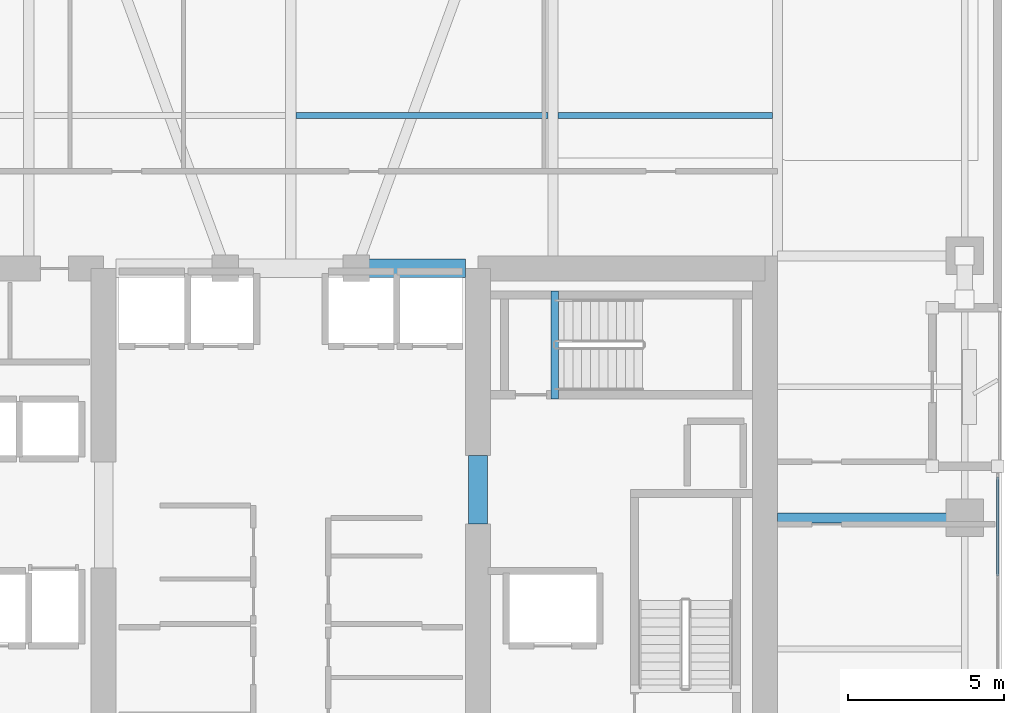
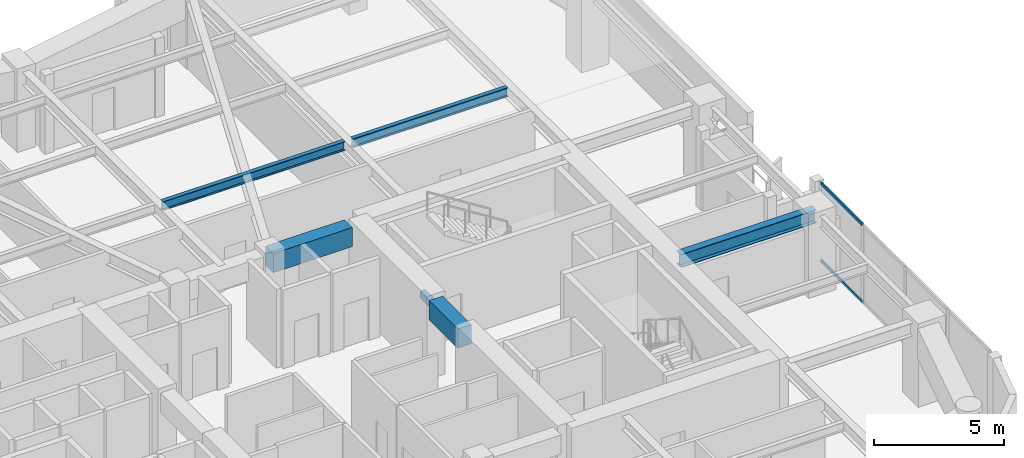
# One storey, part 10 of 30: 6 beams, 2 members, 1 element without a shape of its own.
"""IFC4 building model written with IfcOpenShell, lengths in metres."""

from ifc_helpers import new_model, si_unit, direction, frame, origin, origin_2d, place, context, subcontext, project, spatial, rectangle, hollow_rectangle, i_section, extrude, material, layer, layer_set, material_profile, profile_set, type_object, element, aggregate, save


model = new_model("IFC4")

# Units and contexts
model_context = context("Model", 3, precision=1e-05, world=origin(), true_north=direction((0.0, 1.0)))
body_context = subcontext(model_context, "Body", "Model", "MODEL_VIEW")
ifc_project = project(units=[si_unit("LENGTHUNIT", "METRE"), si_unit("AREAUNIT", "SQUARE_METRE"), si_unit("VOLUMEUNIT", "CUBIC_METRE"), si_unit("PLANEANGLEUNIT", "RADIAN"), si_unit("MASSUNIT", "GRAM", prefix="KILO")], contexts=[model_context])

# Site, building, storey
site_placement = place(None, origin())
site = spatial("IfcSite", under=ifc_project, at=site_placement, CompositionType="ELEMENT")
building_placement = place(site_placement, origin())
building = spatial("IfcBuilding", under=site, at=building_placement, Name="Kiyonajd Concourse Tower", CompositionType="ELEMENT")
storey_placement = place(building_placement, frame((0.0, 0.0, 166.199951171875)))
storey = spatial("IfcBuildingStorey", under=building, at=storey_placement, Name="L42", CompositionType="ELEMENT", Elevation=166.199951171875)

# Beams
ifc_material_1 = material(Name="Concrete C60/75", Category="concrete")
ifc_material_profile_1 = material_profile(ifc_material_1, rectangle(XDim=0.60009765625, YDim=0.89990234375, at=origin_2d()), Name="RCBM-600x900")
ifc_profile_set_1 = profile_set([ifc_material_profile_1], Name="Concrete C60/75")
beam_type_1 = type_object("IfcBeamType", Name="BM-COUP-900", PredefinedType="LINTEL", material=ifc_profile_set_1)
beam_1_placement = place(storey_placement, frame((50.10009765625, 44.0, 3.22998046875), z_axis=(1.0, 0.0, 0.0), x_axis=(0.0, 1.0, 0.0)))
element("IfcBeam", 1, at=beam_1_placement, inside=storey, type_object=beam_type_1, Name="L42 Core Coupling Beam N3", PredefinedType="LINTEL", context=body_context, shape_type="SweptSolid", body=[
    extrude(rectangle(XDim=0.60009765625, YDim=0.89990234375, at=origin_2d()), origin(), (0.0, 0.0, 1.0), 3.5),
])
beam_2_placement = place(storey_placement, frame((54.0, 35.800048828125, 3.22998046875), z_axis=(0.0, 1.0, 0.0), x_axis=(-1.0, 0.0, 0.0)))
element("IfcBeam", 2, at=beam_2_placement, inside=storey, type_object=beam_type_1, Name="L42 East Core Throat Coupling Lintel", PredefinedType="LINTEL", context=body_context, shape_type="SweptSolid", body=[
    extrude(rectangle(XDim=0.60009765625, YDim=0.89990234375, at=origin_2d()), origin(), (0.0, 0.0, 1.0), 2.199951171875),
])
ifc_material_2 = material(Name="Steel ASTM A992 Grade 50", Category="steel")
ifc_material_profile_2 = material_profile(ifc_material_2, i_section(OverallWidth=0.180908203125, OverallDepth=0.4169921875, WebThickness=0.010986328125, FlangeThickness=0.018310546875, at=origin_2d()), Name="W410X85")
ifc_profile_set_2 = profile_set([ifc_material_profile_2], Name="Steel ASTM A992 Grade 50")
beam_type_2 = type_object("IfcBeamType", Name="BM-JST-410", PredefinedType="JOIST", material=ifc_profile_set_2)
beam_3_placement = place(storey_placement, frame((48.16357421875, 48.89990234375, 3.471435546875), z_axis=(1.0, 0.0, 0.0), x_axis=(0.0, 1.0, 0.0)))
element("IfcBeam", 3, at=beam_3_placement, inside=storey, type_object=beam_type_2, Name="L42 Secondary Floor Joist", PredefinedType="JOIST", context=body_context, shape_type="SweptSolid", body=[
    extrude(i_section(OverallWidth=0.180908203125, OverallDepth=0.4169921875, WebThickness=0.010986328125, FlangeThickness=0.018310546875, at=origin_2d()), origin(), (0.0, 0.0, 1.0), 8.072998046875),
])
beam_4_placement = place(storey_placement, frame((56.5634765625, 48.89990234375, 3.471435546875), z_axis=(1.0, 0.0, 0.0), x_axis=(0.0, 1.0, 0.0)))
element("IfcBeam", 4, at=beam_4_placement, inside=storey, type_object=beam_type_2, Name="L42 Secondary Floor Joist", PredefinedType="JOIST", context=body_context, shape_type="SweptSolid", body=[
    extrude(i_section(OverallWidth=0.180908203125, OverallDepth=0.4169921875, WebThickness=0.010986328125, FlangeThickness=0.018310546875, at=origin_2d()), origin(), (0.0, 0.0, 1.0), 6.873046875),
])
ifc_material_3 = material(Name="Concrete C50/60", Category="concrete")
ifc_material_profile_3 = material_profile(ifc_material_3, rectangle(XDim=0.239990234375, YDim=0.320068359375, at=origin_2d()), Name="RCBM-240x320")
ifc_profile_set_3 = profile_set([ifc_material_profile_3], Name="Concrete C50/60")
beam_type_3 = type_object("IfcBeamType", Name="BM-LNT-250", PredefinedType="LINTEL", material=ifc_profile_set_3)
beam_5_placement = place(storey_placement, frame((56.4599609375, 39.820068359375, -0.159912109375), z_axis=(0.0, 1.0, 0.0), x_axis=(-1.0, 0.0, 0.0)))
element("IfcBeam", 5, at=beam_5_placement, inside=storey, type_object=beam_type_3, Name="L42 Stair ST3 Threshold Support Beam", PredefinedType="LINTEL", context=body_context, shape_type="SweptSolid", body=[
    extrude(rectangle(XDim=0.239990234375, YDim=0.320068359375, at=origin_2d()), origin(), (0.0, 0.0, 1.0), 3.4599609375),
])
ifc_material_profile_4 = material_profile(ifc_material_2, i_section(OverallWidth=0.326904296875, OverallDepth=0.6220703125, WebThickness=0.015380859375, FlangeThickness=0.0244140625, at=origin_2d()), Name="W610X195")
ifc_profile_set_4 = profile_set([ifc_material_profile_4], Name="Steel ASTM A992 Grade 50")
beam_type_4 = type_object("IfcBeamType", Name="BM-TWR-610A", PredefinedType="BEAM", material=ifc_profile_set_4)
beam_6_placement = place(storey_placement, frame((63.60009765625, 36.0, 3.369140625), z_axis=(1.0, 0.0, 0.0), x_axis=(0.0, 1.0, 0.0)))
element("IfcBeam", 6, at=beam_6_placement, inside=storey, type_object=beam_type_4, Name="L42 East Lease Girder", PredefinedType="BEAM", context=body_context, shape_type="SweptSolid", body=[
    extrude(i_section(OverallWidth=0.326904296875, OverallDepth=0.6220703125, WebThickness=0.015380859375, FlangeThickness=0.0244140625, at=origin_2d()), origin(), (0.0, 0.0, 1.0), 6.0),
])

# Curtain wall, members
ifc_material_4 = material(Name="Thermally Broken Anodised Aluminium", Category="aluminium")
ifc_layer = layer(ifc_material_4, 0.179931640625)
ifc_layer_set = layer_set([ifc_layer], Name="Thermally Broken Anodised Aluminium")
curtain_wall_type = type_object("IfcCurtainWallType", Name="CW-SYS-03", PredefinedType="NOTDEFINED", material=ifc_layer_set)
curtain_wall_placement = place(storey_placement, origin())
curtain_wall = element("IfcCurtainWall", 7, at=curtain_wall_placement, inside=storey, type_object=curtain_wall_type, Name="L42 Unitised Curtain Wall CW3", PredefinedType="NOTDEFINED")
ifc_material_profile_5 = material_profile(ifc_material_4, hollow_rectangle(XDim=0.06494140625, YDim=0.139892578125, WallThickness=0.00390625, at=origin_2d()), Name="TRAN-65x140")
ifc_profile_set_5 = profile_set([ifc_material_profile_5], Name="Thermally Broken Anodised Aluminium")
member_type = type_object("IfcMemberType", Name="MB-CW-TRAN1", PredefinedType="USERDEFINED", material=ifc_profile_set_5)
member_1_placement = place(storey_placement, frame((70.659912109375, 37.304931640625, 0.032470703125), z_axis=(0.0, -1.0, 0.0), x_axis=(1.0, 0.0, 0.0)))
member_1 = element("IfcMember", 8, at=member_1_placement, type_object=member_type, Name="CW3 transom 1.1", ObjectType="TRANSOM", PredefinedType="USERDEFINED", context=body_context, shape_type="SweptSolid", body=[
    extrude(hollow_rectangle(XDim=0.06494140625, YDim=0.139892578125, WallThickness=0.00390625, at=origin_2d()), origin(), (0.0, 0.0, 1.0), 3.167724609375),
])
member_2_placement = place(storey_placement, frame((70.659912109375, 37.304931640625, 3.6474609375), z_axis=(0.0, -1.0, 0.0), x_axis=(1.0, 0.0, 0.0)))
member_2 = element("IfcMember", 9, at=member_2_placement, type_object=member_type, Name="CW3 transom 1.2", ObjectType="TRANSOM", PredefinedType="USERDEFINED", context=body_context, shape_type="SweptSolid", body=[
    extrude(hollow_rectangle(XDim=0.06494140625, YDim=0.139892578125, WallThickness=0.00390625, at=origin_2d()), origin(), (0.0, 0.0, 1.0), 3.167724609375),
])
aggregate(curtain_wall, [member_1, member_2])

save(model, "model.ifc")
